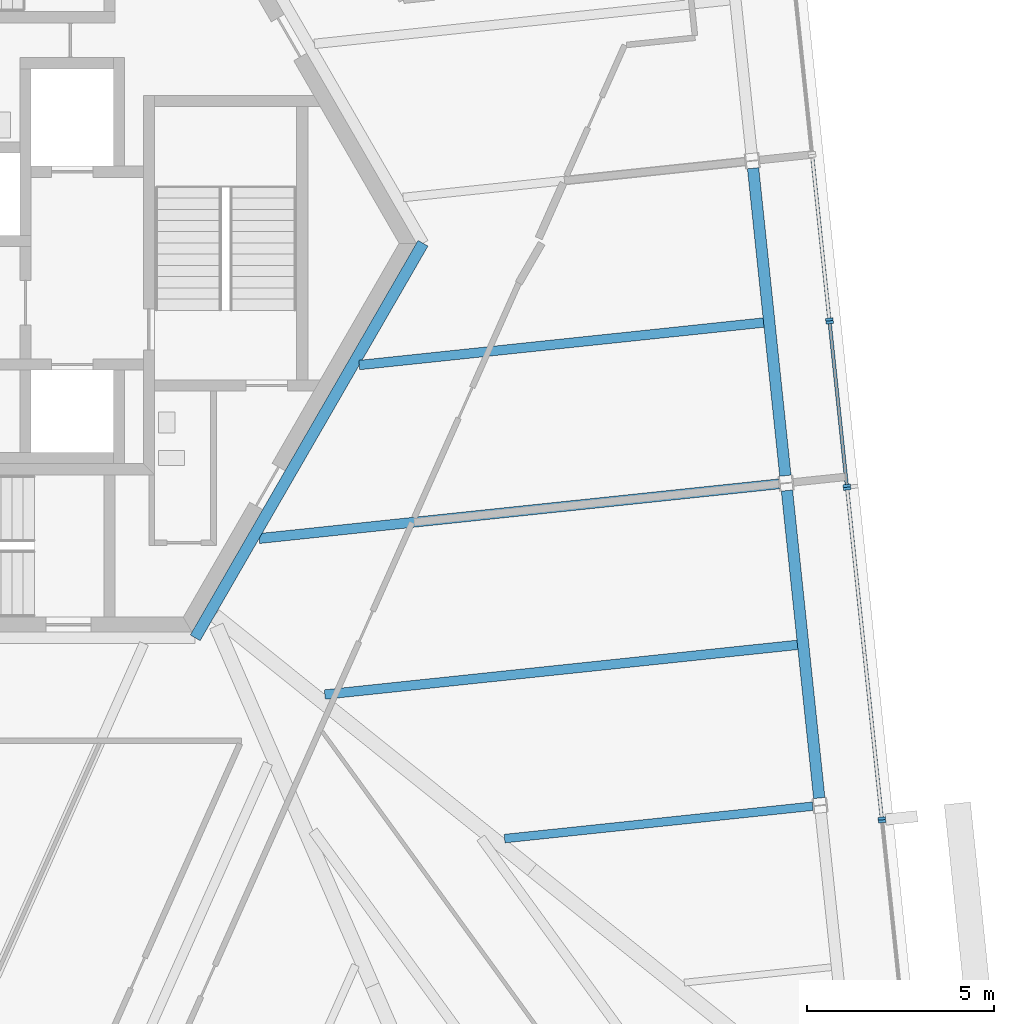
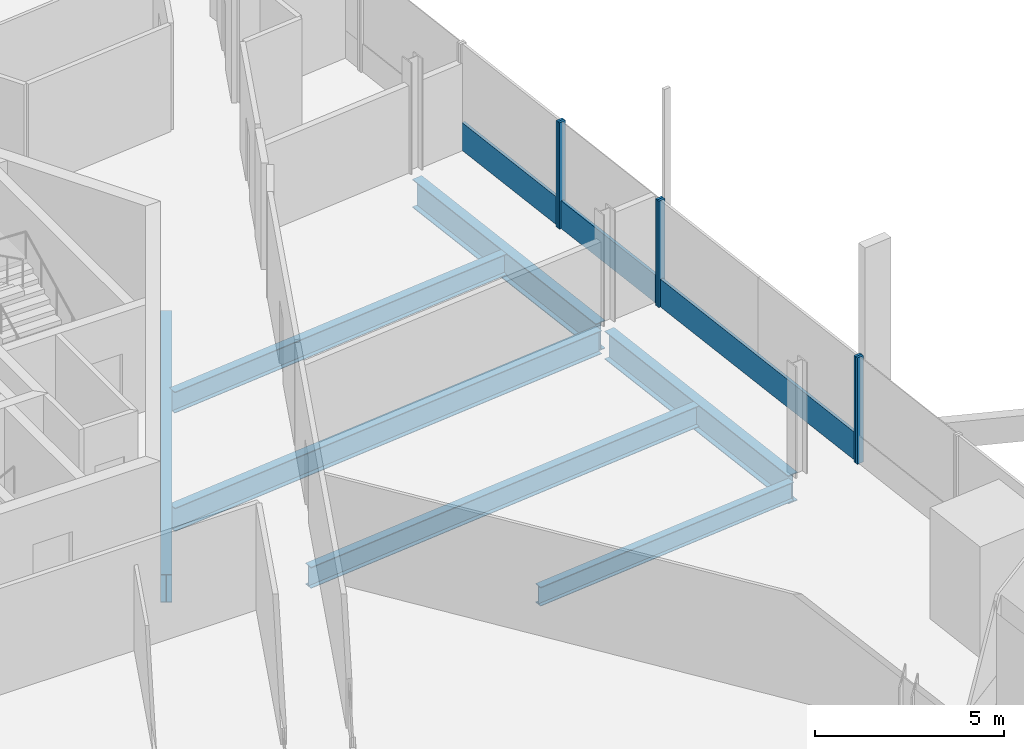
# One storey, part 5 of 21: 9 members, 7 beams, 4 elements without a shape of their own.
"""IFC4 building model written with IfcOpenShell, lengths in metres."""

from ifc_helpers import new_model, si_unit, direction, frame, origin, origin_2d, place, context, subcontext, project, spatial, rectangle, i_section, extrude, source, transform, mapped, material, material_profile, profile_set, type_object, element, aggregate, save


model = new_model("IFC4")

# Units and contexts
model_context = context("Model", 3, precision=1e-05, world=origin(), true_north=direction((0.0, 1.0)))
body_context = subcontext(model_context, "Body", "Model", "MODEL_VIEW")
ifc_project = project(units=[si_unit("LENGTHUNIT", "METRE"), si_unit("AREAUNIT", "SQUARE_METRE"), si_unit("VOLUMEUNIT", "CUBIC_METRE"), si_unit("PLANEANGLEUNIT", "RADIAN"), si_unit("MASSUNIT", "GRAM", prefix="KILO")], contexts=[model_context])

# Site, building, storey
site_placement = place(None, origin())
site = spatial("IfcSite", under=ifc_project, at=site_placement, CompositionType="ELEMENT")
building_placement = place(site_placement, origin())
building = spatial("IfcBuilding", under=site, at=building_placement, Name="Triune Harvest Tower", CompositionType="ELEMENT")
storey_placement = place(building_placement, frame((0.0, 0.0, 87.300048828125)))
storey = spatial("IfcBuildingStorey", under=building, at=storey_placement, Name="L21", CompositionType="ELEMENT", Elevation=87.300048828125)

# Beams
ifc_material_1 = material(Name="Steel ASTM A992 Gr 50", Category="steel")
ifc_material_profile_1 = material_profile(ifc_material_1, i_section(OverallWidth=0.3046875, OverallDepth=0.914306640625, WebThickness=0.0166015625, FlangeThickness=0.02587890625, at=origin_2d()), Name="W36x160")
ifc_profile_set_1 = profile_set([ifc_material_profile_1], Name="Steel ASTM A992 Gr 50")
beam_type_1 = type_object("IfcBeamType", Name="CG-1 Core ring girder W36x160", PredefinedType="BEAM", material=ifc_profile_set_1)
shared_shape_1 = source(origin(), body_context, "Body", "SweptSolid", [
    extrude(i_section(OverallWidth=0.3046875, OverallDepth=0.914306640625, WebThickness=0.0166015625, FlangeThickness=0.02587890625, at=origin_2d()), origin(), (0.0, 0.0, 1.0), 12.176025390625),
])
beam_1_placement = place(storey_placement, frame((6.087890625, -10.544677734375, -0.6171875), z_axis=(0.5000099932, 0.866019634131, 0.0), x_axis=(-0.866019634131, 0.5000099932, 0.0)))
element("IfcBeam", 1, at=beam_1_placement, inside=storey, type_object=beam_type_1, Name="beam/L21/CG6", PredefinedType="BEAM", context=body_context, shape_type="MappedRepresentation", body=[
    mapped(shared_shape_1, transform((0.0, 0.0, 0.0), scale=1.0)),
])
ifc_material_2 = material(Name="Steel ASTM A992 Gr 50", Category="steel")
ifc_material_profile_2 = material_profile(ifc_material_2, i_section(OverallWidth=0.3046875, OverallDepth=0.914306640625, WebThickness=0.0166015625, FlangeThickness=0.02587890625, at=origin_2d()), Name="W36x160")
ifc_profile_set_2 = profile_set([ifc_material_profile_2], Name="Steel ASTM A992 Gr 50")
beam_type_2 = type_object("IfcBeamType", Name="SB-1 Spandrel beam W36x160", PredefinedType="SPANDREL", material=ifc_profile_set_2)
shared_shape_2 = source(origin(), body_context, "Body", "SweptSolid", [
    extrude(i_section(OverallWidth=0.3046875, OverallDepth=0.914306640625, WebThickness=0.0166015625, FlangeThickness=0.02587890625, at=origin_2d()), origin(), (0.0, 0.0, 1.0), 8.26318359375),
])
beam_2_placement = place(storey_placement, frame((22.76708984375, -14.826416015625, -0.6171875), z_axis=(-0.104530986234, 0.994521630191, 0.0), x_axis=(-0.994521630191, -0.104530986234, 0.0)))
element("IfcBeam", 2, at=beam_2_placement, inside=storey, type_object=beam_type_2, Name="beam/L21/SB2", PredefinedType="SPANDREL", context=body_context, shape_type="MappedRepresentation", body=[
    mapped(shared_shape_2, transform((0.0, 0.0, 0.0), scale=1.0)),
])
shared_shape_3 = source(origin(), body_context, "Body", "SweptSolid", [
    extrude(i_section(OverallWidth=0.3046875, OverallDepth=0.914306640625, WebThickness=0.0166015625, FlangeThickness=0.02587890625, at=origin_2d()), origin(), (0.0, 0.0, 1.0), 8.263427734375),
])
beam_3_placement = place(storey_placement, frame((21.861572265625, -6.211669921875, -0.6171875), z_axis=(-0.104527914852, 0.994521953009, 0.0), x_axis=(-0.994521953009, -0.104527914852, 0.0)))
element("IfcBeam", 3, at=beam_3_placement, inside=storey, type_object=beam_type_2, Name="beam/L21/SB3", PredefinedType="SPANDREL", context=body_context, shape_type="MappedRepresentation", body=[
    mapped(shared_shape_3, transform((0.0, 0.0, 0.0), scale=1.0)),
])
ifc_material_3 = material(Name="Steel ASTM A992 Gr 50", Category="steel")
ifc_material_profile_3 = material_profile(ifc_material_3, i_section(OverallWidth=0.22900390625, OverallDepth=0.612060546875, WebThickness=0.011962890625, FlangeThickness=0.01953125, at=origin_2d()), Name="W24x84")
ifc_profile_set_3 = profile_set([ifc_material_profile_3], Name="Steel ASTM A992 Gr 50")
beam_type_3 = type_object("IfcBeamType", Name="JT-3 Floor joist W24x84", PredefinedType="JOIST", material=ifc_profile_set_3)
shared_shape_4 = source(origin(), body_context, "Body", "SweptSolid", [
    extrude(i_section(OverallWidth=0.22900390625, OverallDepth=0.612060546875, WebThickness=0.011962890625, FlangeThickness=0.01953125, at=origin_2d()), origin(), (0.0, 0.0, 1.0), 8.28173828125),
])
beam_4_placement = place(storey_placement, frame((22.592041015625, -15.04541015625, -0.466064453125), z_axis=(-0.994521271652, -0.104534397358, 0.0), x_axis=(0.104534397358, -0.994521271652, 0.0)))
element("IfcBeam", 4, at=beam_4_placement, inside=storey, type_object=beam_type_3, Name="beam/L21/JT2", PredefinedType="JOIST", context=body_context, shape_type="MappedRepresentation", body=[
    mapped(shared_shape_4, transform((0.0, 0.0, 0.0), scale=1.0)),
])
ifc_material_4 = material(Name="Steel ASTM A992 Gr 50", Category="steel")
ifc_material_profile_4 = material_profile(ifc_material_4, i_section(OverallWidth=0.253662109375, OverallDepth=0.683349609375, WebThickness=0.012451171875, FlangeThickness=0.01904296875, at=origin_2d()), Name="W27x94")
ifc_profile_set_4 = profile_set([ifc_material_profile_4], Name="Steel ASTM A992 Gr 50")
beam_type_4 = type_object("IfcBeamType", Name="JT-4 Floor joist W27x94", PredefinedType="JOIST", material=ifc_profile_set_4)
shared_shape_5 = source(origin(), body_context, "Body", "SweptSolid", [
    extrude(i_section(OverallWidth=0.253662109375, OverallDepth=0.683349609375, WebThickness=0.012451171875, FlangeThickness=0.01904296875, at=origin_2d()), origin(), (0.0, 0.0, 1.0), 12.70166015625),
])
beam_5_placement = place(storey_placement, frame((22.18359375, -10.7333984375, -0.501708984375), z_axis=(-0.994522291469, -0.104524694556, 0.0), x_axis=(0.104524694556, -0.994522291469, 0.0)))
element("IfcBeam", 5, at=beam_5_placement, inside=storey, type_object=beam_type_4, Name="beam/L21/JT3", PredefinedType="JOIST", context=body_context, shape_type="MappedRepresentation", body=[
    mapped(shared_shape_5, transform((0.0, 0.0, 0.0), scale=1.0)),
])
ifc_material_5 = material(Name="Steel ASTM A992 Gr 50", Category="steel")
ifc_material_profile_5 = material_profile(ifc_material_5, i_section(OverallWidth=0.2666015625, OverallDepth=0.7568359375, WebThickness=0.013916015625, FlangeThickness=0.019287109375, at=origin_2d()), Name="W30x108")
ifc_profile_set_5 = profile_set([ifc_material_profile_5], Name="Steel ASTM A992 Gr 50")
beam_type_5 = type_object("IfcBeamType", Name="JT-5 Floor joist W30x108", PredefinedType="JOIST", material=ifc_profile_set_5)
shared_shape_6 = source(origin(), body_context, "Body", "SweptSolid", [
    extrude(i_section(OverallWidth=0.2666015625, OverallDepth=0.7568359375, WebThickness=0.013916015625, FlangeThickness=0.019287109375, at=origin_2d()), origin(), (0.0, 0.0, 1.0), 13.966552734375),
])
beam_6_placement = place(storey_placement, frame((21.6865234375, -6.4306640625, -0.53857421875), z_axis=(-0.994523349671, -0.104514625579, 0.0), x_axis=(0.104514625579, -0.994523349671, 0.0)))
element("IfcBeam", 6, at=beam_6_placement, inside=storey, type_object=beam_type_5, Name="beam/L21/JT4", PredefinedType="JOIST", context=body_context, shape_type="MappedRepresentation", body=[
    mapped(shared_shape_6, transform((0.0, 0.0, 0.0), scale=1.0)),
])
shared_shape_7 = source(origin(), body_context, "Body", "SweptSolid", [
    extrude(i_section(OverallWidth=0.253662109375, OverallDepth=0.683349609375, WebThickness=0.012451171875, FlangeThickness=0.01904296875, at=origin_2d()), origin(), (0.0, 0.0, 1.0), 10.864501953125),
])
beam_7_placement = place(storey_placement, frame((21.278076171875, -2.11865234375, -0.501708984375), z_axis=(-0.994523292564, -0.104515168984, 0.0), x_axis=(0.104515168984, -0.994523292564, 0.0)))
element("IfcBeam", 7, at=beam_7_placement, inside=storey, type_object=beam_type_4, Name="beam/L21/JT5", PredefinedType="JOIST", context=body_context, shape_type="MappedRepresentation", body=[
    mapped(shared_shape_7, transform((0.0, 0.0, 0.0), scale=1.0)),
])

# Curtain wall, member
ifc_material_6 = material(Name="Aluminium bronze anodised", Category="aluminium")
curtain_wall_type_1 = type_object("IfcCurtainWallType", Name="CW-1 Tower stick curtain wall", PredefinedType="NOTDEFINED", material=ifc_material_6)
curtain_wall_1_placement = place(storey_placement, origin())
curtain_wall_1 = element("IfcCurtainWall", 8, at=curtain_wall_1_placement, inside=storey, type_object=curtain_wall_type_1, Name="CW-1 B2-F1 L21 run 1001")
ifc_material_7 = material(Name="Aluminium bronze anodised", Category="aluminium")
ifc_material_profile_6 = material_profile(ifc_material_7, rectangle(XDim=0.199951171875, YDim=0.074951171875, at=origin_2d()), Name="MU-1 mullion 75 x 200")
ifc_profile_set_6 = profile_set([ifc_material_profile_6], Name="Aluminium bronze anodised")
member_type_1 = type_object("IfcMemberType", Name="MU-1 mullion 75 x 200", PredefinedType="MULLION", material=ifc_profile_set_6)
shared_shape_8 = source(origin(), body_context, "Body", "SweptSolid", [
    extrude(rectangle(XDim=0.199951171875, YDim=0.074951171875, at=origin_2d()), origin(), (0.0, 0.0, 1.0), 3.43994140625),
])
member_1_placement = place(storey_placement, frame((24.446533203125, -15.448974609375, 0.0), z_axis=(0.0, 0.0, 1.0), x_axis=(-0.994521986995, -0.104527591495, 0.0)))
member_1 = element("IfcMember", 9, at=member_1_placement, type_object=member_type_1, Name="CW-1 mullion B2-F1 1001.2", PredefinedType="MULLION", context=body_context, shape_type="MappedRepresentation", body=[
    mapped(shared_shape_8, transform((0.0, 0.0, 0.0), scale=1.0)),
])
aggregate(curtain_wall_1, [member_1])

# Curtain wall, members
ifc_material_8 = material(Name="Aluminium bronze anodised", Category="aluminium")
curtain_wall_type_2 = type_object("IfcCurtainWallType", Name="CW-7 Tower stick curtain wall with insulated spandrel infill", PredefinedType="NOTDEFINED", material=ifc_material_8)
curtain_wall_2_placement = place(storey_placement, origin())
curtain_wall_2 = element("IfcCurtainWall", 10, at=curtain_wall_2_placement, inside=storey, type_object=curtain_wall_type_2, Name="CW-7 B2-F1 L21 run 2001")
member_2_placement = place(storey_placement, frame((24.438720703125, -15.37451171875, 0.0), z_axis=(0.0, 0.0, 1.0), x_axis=(-0.994521986995, -0.104527591495, 0.0)))
member_2 = element("IfcMember", 11, at=member_2_placement, type_object=member_type_1, Name="CW-7 mullion B2-F1 2001.1", PredefinedType="MULLION", context=body_context, shape_type="MappedRepresentation", body=[
    mapped(shared_shape_8, transform((0.0, 0.0, 0.0), scale=1.0)),
])
member_3_placement = place(storey_placement, frame((23.511962890625, -6.556884765625, 0.0), z_axis=(0.0, 0.0, 1.0), x_axis=(-0.994521986995, -0.104527591495, 0.0)))
member_3 = element("IfcMember", 12, at=member_3_placement, type_object=member_type_1, Name="CW-7 mullion B2-F1 2001.3", PredefinedType="MULLION", context=body_context, shape_type="MappedRepresentation", body=[
    mapped(shared_shape_8, transform((0.0, 0.0, 0.0), scale=1.0)),
])

curtain_wall_3_placement = place(storey_placement, origin())
curtain_wall_3 = element("IfcCurtainWall", 13, at=curtain_wall_3_placement, inside=storey, type_object=curtain_wall_type_1, Name="CW-1 B2-F1 L21 run 3001")
member_4_placement = place(storey_placement, frame((23.504150390625, -6.482421875, 0.0), z_axis=(0.0, 0.0, 1.0), x_axis=(-0.994521986995, -0.104527591495, 0.0)))
member_4 = element("IfcMember", 14, at=member_4_placement, type_object=member_type_1, Name="CW-1 mullion B2-F1 3001.1", PredefinedType="MULLION", context=body_context, shape_type="MappedRepresentation", body=[
    mapped(shared_shape_8, transform((0.0, 0.0, 0.0), scale=1.0)),
])
member_5_placement = place(storey_placement, frame((23.044677734375, -2.11083984375, 0.0), z_axis=(0.0, 0.0, 1.0), x_axis=(-0.994521986995, -0.104527591495, 0.0)))
member_5 = element("IfcMember", 15, at=member_5_placement, type_object=member_type_1, Name="CW-1 mullion B2-F1 3001.2", PredefinedType="MULLION", context=body_context, shape_type="MappedRepresentation", body=[
    mapped(shared_shape_8, transform((0.0, 0.0, 0.0), scale=1.0)),
])

# Curtain wall, member
curtain_wall_4_placement = place(storey_placement, origin())
curtain_wall_4 = element("IfcCurtainWall", 16, at=curtain_wall_4_placement, inside=storey, type_object=curtain_wall_type_2, Name="CW-7 B2-F1 L21 run 4001")
member_6_placement = place(storey_placement, frame((23.036865234375, -2.0361328125, 0.0), z_axis=(0.0, 0.0, 1.0), x_axis=(-0.994521986995, -0.104527591495, 0.0)))
member_6 = element("IfcMember", 17, at=member_6_placement, type_object=member_type_1, Name="CW-7 mullion B2-F1 4001.1", PredefinedType="MULLION", context=body_context, shape_type="MappedRepresentation", body=[
    mapped(shared_shape_8, transform((0.0, 0.0, 0.0), scale=1.0)),
])

# Member
ifc_material_9 = material(Name="Aluminium bronze anodised", Category="aluminium")
ifc_material_profile_7 = material_profile(ifc_material_9, rectangle(XDim=0.090087890625, YDim=0.89990234375, at=origin_2d()), Name="TR-1 transom 90 x 900")
ifc_profile_set_7 = profile_set([ifc_material_profile_7], Name="Aluminium bronze anodised")
member_type_2 = type_object("IfcMemberType", Name="TR-1 transom 90 x 900", PredefinedType="USERDEFINED", material=ifc_profile_set_7)
shared_shape_9 = source(origin(), body_context, "Body", "SweptSolid", [
    extrude(rectangle(XDim=0.090087890625, YDim=0.89990234375, at=origin_2d()), origin(), (0.0, 0.0, 1.0), 8.791015625),
])
member_7_placement = place(storey_placement, frame((24.434814453125, -15.337158203125, 0.449951171875), z_axis=(-0.104531546021, 0.994521571353, 0.0), x_axis=(-0.994521571353, -0.104531546021, 0.0)))
member_7 = element("IfcMember", 18, at=member_7_placement, type_object=member_type_2, Name="CW-7 transom B2-F1 2001.1", ObjectType="TRANSOM", PredefinedType="USERDEFINED", context=body_context, shape_type="MappedRepresentation", body=[
    mapped(shared_shape_9, transform((0.0, 0.0, 0.0), scale=1.0)),
])

aggregate(curtain_wall_2, [member_2, member_3, member_7])

shared_shape_10 = source(origin(), body_context, "Body", "SweptSolid", [
    extrude(rectangle(XDim=0.090087890625, YDim=0.89990234375, at=origin_2d()), origin(), (0.0, 0.0, 1.0), 4.32080078125),
])
member_8_placement = place(storey_placement, frame((23.032958984375, -1.9990234375, 0.449951171875), z_axis=(-0.104531836291, 0.994521540843, 0.0), x_axis=(-0.994521540843, -0.104531836291, 0.0)))
member_8 = element("IfcMember", 19, at=member_8_placement, type_object=member_type_2, Name="CW-7 transom B2-F1 4001.1", ObjectType="TRANSOM", PredefinedType="USERDEFINED", context=body_context, shape_type="MappedRepresentation", body=[
    mapped(shared_shape_10, transform((0.0, 0.0, 0.0), scale=1.0)),
])

aggregate(curtain_wall_4, [member_6, member_8])

shared_shape_11 = source(origin(), body_context, "Body", "SweptSolid", [
    extrude(rectangle(XDim=0.090087890625, YDim=0.89990234375, at=origin_2d()), origin(), (0.0, 0.0, 1.0), 4.320556640625),
])
member_9_placement = place(storey_placement, frame((23.500244140625, -6.445068359375, 0.449951171875), z_axis=(-0.104537710696, 0.994520923381, 0.0), x_axis=(-0.994520923381, -0.104537710696, 0.0)))
member_9 = element("IfcMember", 20, at=member_9_placement, type_object=member_type_2, Name="CW-1 transom B2-F1 3001.1", ObjectType="TRANSOM", PredefinedType="USERDEFINED", context=body_context, shape_type="MappedRepresentation", body=[
    mapped(shared_shape_11, transform((0.0, 0.0, 0.0), scale=1.0)),
])

aggregate(curtain_wall_3, [member_4, member_5, member_9])

save(model, "model.ifc")
